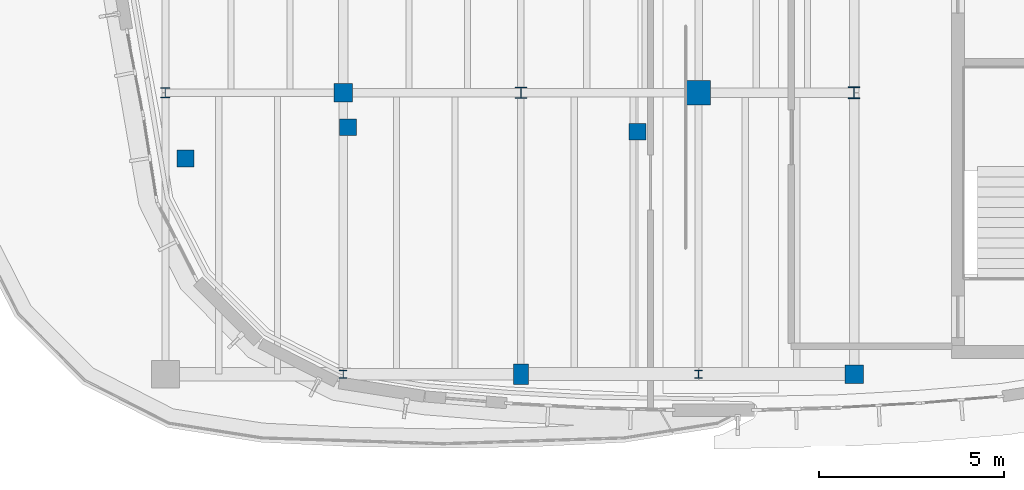
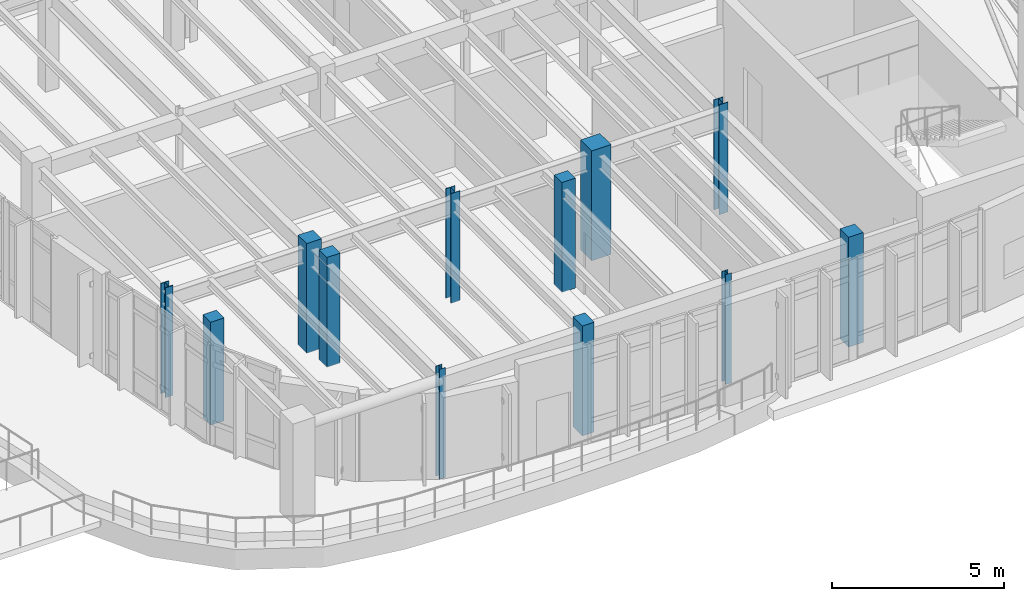
# One storey, part 4 of 105: 12 columns.
"""IFC4 building model written with IfcOpenShell, lengths in metres."""

import ifcopenshell
import ifcopenshell.guid

model = None  # the IFC model being written
_history = None  # IfcOwnerHistory: only IFC2X3 demands one
_inside = {}  # id of a spatial element -> (the spatial element, [elements in it])
_under = {}  # id of a project, library or spatial element -> (it, [spatial elements below it])
_declared = {}  # id of a project -> (the project, [libraries it declares])
_typed = {}  # id of a type object -> (the type object, [elements of that type])
_made_of = {}  # id of a material, layer set ... -> (it, [elements and type objects made of it])


def new_model(schema):
    """Start an empty IFC model of exactly this schema.

    Asked for "IFC4X3", IfcOpenShell would pick the latest addendum, in which some entities
    have other attributes; the version numbers below select the first issue.
    IFC2X3 requires an IfcOwnerHistory on every rooted entity: one is made here for all.
    """
    global model, _history
    if schema == "IFC4X3":
        model = ifcopenshell.file(schema_version=(4, 3, 0, 0))
    else:
        model = ifcopenshell.file(schema=schema)
    _inside.clear()
    _under.clear()
    _declared.clear()
    _typed.clear()
    _made_of.clear()
    _history = None
    if model.schema == "IFC2X3":
        org = make("IfcOrganization", Name="unknown")
        user = make(
            "IfcPersonAndOrganization",
            ThePerson=make("IfcPerson", FamilyName="unknown"),
            TheOrganization=org,
        )
        app = make(
            "IfcApplication",
            ApplicationDeveloper=org,
            Version="unknown",
            ApplicationFullName="unknown",
            ApplicationIdentifier="unknown",
        )
        _history = make(
            "IfcOwnerHistory",
            OwningUser=user,
            OwningApplication=app,
            ChangeAction="ADDED",
            CreationDate=0,
        )
    return model


def make(cls, **values):
    """One entity of the class cls with the attributes given. An attribute that is None is left unset."""
    return model.create_entity(
        cls, **{name: value for name, value in values.items() if value is not None}
    )


def rooted(cls, **values):
    """An entity with a GlobalId (a new one), such as an element, a storey or a relation."""
    return make(cls, GlobalId=ifcopenshell.guid.new(), OwnerHistory=_history, **values)


def si_unit(unit_type, name, prefix=None):
    """IfcSIUnit, for example si_unit("LENGTHUNIT", "METRE", prefix="MILLI")."""
    return make("IfcSIUnit", UnitType=unit_type, Prefix=prefix, Name=name)


def assignment(units):
    """IfcUnitAssignment: the units of a project."""
    return None if units is None else make("IfcUnitAssignment", Units=units)


def point(xyz):
    """IfcCartesianPoint."""
    return None if xyz is None else make("IfcCartesianPoint", Coordinates=xyz)


def direction(xyz):
    """IfcDirection."""
    return None if xyz is None else make("IfcDirection", DirectionRatios=xyz)


def frame(location, z_axis=None, x_axis=None):
    """IfcAxis2Placement3D, a coordinate frame: its origin and axes. An axis left out is left unset."""
    return make(
        "IfcAxis2Placement3D",
        Location=point(location),
        Axis=direction(z_axis),
        RefDirection=direction(x_axis),
    )


def frame_2d(location, x_axis=None):
    """IfcAxis2Placement2D, a coordinate frame in the plane: its origin and x axis."""
    return make(
        "IfcAxis2Placement2D", Location=point(location), RefDirection=direction(x_axis)
    )


def origin():
    """The frame at (0, 0, 0) with its axes left unset."""
    return frame((0.0, 0.0, 0.0))


def origin_2d():
    """The frame at (0, 0) in the plane with its x axis left unset."""
    return frame_2d((0.0, 0.0))


def place(relative_to, where):
    """IfcLocalPlacement: puts the frame where relative to a parent placement (None: the world)."""
    return make(
        "IfcLocalPlacement", PlacementRelTo=relative_to, RelativePlacement=where
    )


def context(
    kind, dimensions, precision=None, world=None, true_north=None, identifier=None
):
    """IfcGeometricRepresentationContext, for example the 3D "Model" context."""
    return make(
        "IfcGeometricRepresentationContext",
        ContextIdentifier=identifier,
        ContextType=kind,
        CoordinateSpaceDimension=dimensions,
        Precision=precision,
        WorldCoordinateSystem=world,
        TrueNorth=true_north,
    )


def subcontext(parent, identifier, kind, view, scale=None):
    """IfcGeometricRepresentationSubContext, for example "Body" below "Model"."""
    return make(
        "IfcGeometricRepresentationSubContext",
        ContextIdentifier=identifier,
        ContextType=kind,
        ParentContext=parent,
        TargetScale=scale,
        TargetView=view,
    )


def project(units=None, contexts=None):
    """IfcProject with its units and contexts."""
    return rooted(
        "IfcProject",
        Name="project",
        RepresentationContexts=contexts,
        UnitsInContext=assignment(units),
    )


def spatial(cls, under=None, at=None, **own):
    """A site, building, storey or space (cls), placed at a placement, below another one or the project."""
    s = rooted(cls, ObjectPlacement=at, **own)
    if under is not None:
        _under.setdefault(under.id(), (under, []))[1].append(s)
    return s


def profile(cls, at=None, kind="AREA", **sizes):
    """A parametric profile (cls). Its sizes go by their IFC names, for example OverallWidth=200.0."""
    return make(cls, ProfileType=kind, Position=at, **sizes)


def rectangle(**sizes):
    """IfcRectangleProfileDef."""
    return profile("IfcRectangleProfileDef", **sizes)


def i_section(**sizes):
    """IfcIShapeProfileDef."""
    return profile("IfcIShapeProfileDef", **sizes)


def extrude(swept, where, along, depth):
    """IfcExtrudedAreaSolid: the profile swept, set in the frame where, extruded along a direction by depth."""
    return make(
        "IfcExtrudedAreaSolid",
        SweptArea=swept,
        Position=where,
        ExtrudedDirection=direction(along),
        Depth=depth,
    )


def shape(context_of_items, identifier, shape_type, items):
    """IfcShapeRepresentation: the items that make up one representation, for example the "Body"."""
    return make(
        "IfcShapeRepresentation",
        ContextOfItems=context_of_items,
        RepresentationIdentifier=identifier,
        RepresentationType=shape_type,
        Items=items,
    )


def material(Name=None, Category=None):
    """IfcMaterial."""
    return make("IfcMaterial", Name=Name, Category=Category)


def material_profile(
    of_material, cross_section, Name=None, Category=None, Priority=None
):
    """IfcMaterialProfile: a cross section and its material."""
    return make(
        "IfcMaterialProfile",
        Name=Name,
        Material=of_material,
        Profile=cross_section,
        Priority=Priority,
        Category=Category,
    )


def profile_set(profiles, Name=None, composite=None):
    """IfcMaterialProfileSet."""
    return make(
        "IfcMaterialProfileSet",
        Name=Name,
        MaterialProfiles=profiles,
        CompositeProfile=composite,
    )


def made_of(thing, what):
    """Note that an element or type object is made of a material, layer set ...; save() writes the relation."""
    if what is not None:
        _made_of.setdefault(what.id(), (what, []))[1].append(thing)
    return thing


def type_object(cls, material=None, **own):
    """A type object (cls), such as IfcWallType, which elements share."""
    return made_of(rooted(cls, **own), material)


def element(
    cls,
    number,
    at=None,
    inside=None,
    cuts=None,
    type_object=None,
    material=None,
    context=None,
    identifier="Body",
    shape_type=None,
    held_by="IfcProductDefinitionShape",
    body=None,
    shapes=None,
    **own,
):
    """One element of the class cls, such as IfcWall. Its Tag is "e" and its number.

    at: its placement. inside: the storey or other place that contains it. cuts: it is an
    opening in that element (IfcRelVoidsElement). A single representation is given by context,
    identifier, shape_type and body (its items); several are given by shapes. held_by: the class
    of the entity that holds the representations. save() writes the other relations.
    """
    e = rooted(cls, Tag="e%d" % number, ObjectPlacement=at, **own)
    if body is not None:
        shapes = [shape(context, identifier, shape_type, body)]
    if shapes is not None:
        e.Representation = make(held_by, Representations=shapes)
    if inside is not None:
        _inside.setdefault(inside.id(), (inside, []))[1].append(e)
    if cuts is not None:
        rooted(
            "IfcRelVoidsElement", RelatingBuildingElement=cuts, RelatedOpeningElement=e
        )
    if type_object is not None:
        _typed.setdefault(type_object.id(), (type_object, []))[1].append(e)
    return made_of(e, material)


def aggregate(whole, parts):
    """IfcRelAggregates: a whole, such as a stair, and the parts it consists of."""
    return rooted("IfcRelAggregates", RelatingObject=whole, RelatedObjects=parts)


def save(model, path):
    """Write the relations noted so far, then the file.

    IfcRelAggregates (storeys below a building ...), IfcRelContainedInSpatialStructure (elements
    in a storey), IfcRelDefinesByType, IfcRelAssociatesMaterial and IfcRelDeclares: one each for
    every whole, place, type object, material and project.
    """
    for whole, parts in _under.values():
        aggregate(whole, parts)
    for where, things in _inside.values():
        rooted(
            "IfcRelContainedInSpatialStructure",
            RelatedElements=things,
            RelatingStructure=where,
        )
    for kind, things in _typed.values():
        rooted("IfcRelDefinesByType", RelatedObjects=things, RelatingType=kind)
    for what, things in _made_of.values():
        rooted("IfcRelAssociatesMaterial", RelatedObjects=things, RelatingMaterial=what)
    for by, libraries in _declared.values():
        rooted("IfcRelDeclares", RelatingContext=by, RelatedDefinitions=libraries)
    model.write(path)


model = new_model("IFC4")

# Units and contexts
model_context = context("Model", 3, precision=1e-05, world=origin(), true_north=direction((0.0, 1.0)))
body_context = subcontext(model_context, "Body", "Model", "MODEL_VIEW")
ifc_project = project(units=[si_unit("LENGTHUNIT", "METRE"), si_unit("AREAUNIT", "SQUARE_METRE"), si_unit("VOLUMEUNIT", "CUBIC_METRE"), si_unit("PLANEANGLEUNIT", "RADIAN"), si_unit("MASSUNIT", "GRAM", prefix="KILO")], contexts=[model_context])

# Site, building, storey
site_placement = place(None, origin())
site = spatial("IfcSite", under=ifc_project, at=site_placement, CompositionType="ELEMENT")
building_placement = place(site_placement, origin())
building = spatial("IfcBuilding", under=site, at=building_placement, Name="Corveleigh Park Community Centre", CompositionType="ELEMENT")
storey_placement = place(building_placement, frame((0.0, 0.0, 8.699951171875)))
storey = spatial("IfcBuildingStorey", under=building, at=storey_placement, Name="L02", CompositionType="ELEMENT", Elevation=8.699951171875)

# Columns
ifc_material_1 = material(Name="Concrete C40/50", Category="concrete")
ifc_material_profile_1 = material_profile(ifc_material_1, rectangle(XDim=0.39990234375, YDim=0.550048828125, at=origin_2d()), Name="RC-400x550", Category="concrete")
ifc_profile_set_1 = profile_set([ifc_material_profile_1], Name="Concrete C40/50")
column_type_1 = type_object("IfcColumnType", Name="COL-RC-400x550", PredefinedType="COLUMN", material=ifc_profile_set_1)
column_1_placement = place(storey_placement, frame((149.0, 58.60009765625, 0.0), z_axis=(0.0, 0.0, 1.0), x_axis=(1.0, 0.0, 0.0)))
element("IfcColumn", 1, at=column_1_placement, inside=storey, type_object=column_type_1, Name="Column V4-X4Y0 L02", PredefinedType="COLUMN", context=body_context, shape_type="SweptSolid", body=[
    extrude(rectangle(XDim=0.39990234375, YDim=0.550048828125, at=origin_2d()), origin(), (0.0, 0.0, 1.0), 3.900146484375),
])
ifc_material_profile_2 = material_profile(ifc_material_1, rectangle(XDim=0.449951171875, YDim=0.449951171875, at=origin_2d()), Name="RC-450x450", Category="concrete")
ifc_profile_set_2 = profile_set([ifc_material_profile_2], Name="Concrete C40/50")
column_type_2 = type_object("IfcColumnType", Name="COL-RC-450x450", PredefinedType="COLUMN", material=ifc_profile_set_2)
column_2_placement = place(storey_placement, frame((139.94091796875, 64.424072265625, 0.0), z_axis=(0.0, 0.0, 1.0), x_axis=(1.0, 0.0, 0.0)))
element("IfcColumn", 2, at=column_2_placement, inside=storey, type_object=column_type_2, Name="External deck support pier 135 L02", PredefinedType="COLUMN", context=body_context, shape_type="SweptSolid", body=[
    extrude(rectangle(XDim=0.449951171875, YDim=0.449951171875, at=origin_2d()), origin(), (0.0, 0.0, 1.0), 3.653076171875),
])
for number, where, z_axis, x_axis, name in (
    (3, (144.3291015625, 65.27294921875, 0.0), (0.0, 0.0, 1.0), (1.0, 0.0, 0.0), "External deck support pier 137 L02"),
    (4, (152.14697265625, 65.14404296875, 0.0), (0.0, 0.0, 1.0), (1.0, 0.0, 0.0), "External deck support pier 139 L02"),
):
    element("IfcColumn", number, at=place(storey_placement, frame(where, z_axis=z_axis, x_axis=x_axis)), inside=storey, type_object=column_type_2, Name=name, PredefinedType="COLUMN", context=body_context, shape_type="SweptSolid", body=[
        extrude(rectangle(XDim=0.449951171875, YDim=0.449951171875, at=origin_2d()), origin(), (0.0, 0.0, 1.0), 3.900146484375),
    ])
ifc_material_profile_3 = material_profile(ifc_material_1, rectangle(XDim=0.5, YDim=0.5, at=origin_2d()), Name="RC-500x500", Category="concrete")
ifc_profile_set_3 = profile_set([ifc_material_profile_3], Name="Concrete C40/50")
column_type_3 = type_object("IfcColumnType", Name="COL-RC-500x500", PredefinedType="COLUMN", material=ifc_profile_set_3)
for number, where, z_axis, x_axis, name in (
    (5, (144.199951171875, 66.199951171875, 0.0), (0.0, 0.0, 1.0), (1.0, 0.0, 0.0), "Column V4-X3Y1 L02"),
    (6, (158.0, 58.60009765625, 0.0), (0.0, 0.0, 1.0), (1.0, 0.0, 0.0), "Column V4-X6Y0 L02"),
):
    element("IfcColumn", number, at=place(storey_placement, frame(where, z_axis=z_axis, x_axis=x_axis)), inside=storey, type_object=column_type_3, Name=name, PredefinedType="COLUMN", context=body_context, shape_type="SweptSolid", body=[
        extrude(rectangle(XDim=0.5, YDim=0.5, at=origin_2d()), origin(), (0.0, 0.0, 1.0), 3.900146484375),
    ])
ifc_material_profile_4 = material_profile(ifc_material_1, rectangle(XDim=0.64990234375, YDim=0.64990234375, at=origin_2d()), Name="RC-650x650", Category="concrete")
ifc_profile_set_4 = profile_set([ifc_material_profile_4], Name="Concrete C40/50")
column_type_4 = type_object("IfcColumnType", Name="COL-RC-650x650", PredefinedType="COLUMN", material=ifc_profile_set_4)
column_3_placement = place(storey_placement, frame((153.800048828125, 66.199951171875, 0.0), z_axis=(0.0, 0.0, 1.0), x_axis=(1.0, 0.0, 0.0)))
element("IfcColumn", 7, at=column_3_placement, inside=storey, type_object=column_type_4, Name="Column V4-X5Y1 L02", PredefinedType="COLUMN", context=body_context, shape_type="SweptSolid", body=[
    extrude(rectangle(XDim=0.64990234375, YDim=0.64990234375, at=origin_2d()), origin(), (0.0, 0.0, 1.0), 3.900146484375),
])
ifc_material_2 = material(Name="Steel S355", Category="steel")
ifc_material_profile_5 = material_profile(ifc_material_2, i_section(OverallWidth=0.204345703125, OverallDepth=0.206298828125, WebThickness=0.0078125, FlangeThickness=0.012451171875, at=origin_2d()), Name="UKC 203x203x52", Category="steel")
ifc_profile_set_5 = profile_set([ifc_material_profile_5], Name="Steel S355")
column_type_5 = type_object("IfcColumnType", Name="COL-STL-UKC203x52", PredefinedType="COLUMN", material=ifc_profile_set_5)
column_4_placement = place(storey_placement, frame((144.199951171875, 58.60009765625, 0.0), z_axis=(0.0, 0.0, 1.0), x_axis=(1.0, 0.0, 0.0)))
element("IfcColumn", 8, at=column_4_placement, inside=storey, type_object=column_type_5, Name="Column V4-X3Y0 L02", PredefinedType="COLUMN", context=body_context, shape_type="SweptSolid", body=[
    extrude(i_section(OverallWidth=0.204345703125, OverallDepth=0.206298828125, WebThickness=0.0078125, FlangeThickness=0.012451171875, at=origin_2d()), origin(), (0.0, 0.0, 1.0), 3.900146484375),
])
ifc_material_profile_6 = material_profile(ifc_material_2, i_section(OverallWidth=0.205810546875, OverallDepth=0.209716796875, WebThickness=0.009521484375, FlangeThickness=0.01416015625, at=origin_2d()), Name="UKC 203x203x60", Category="steel")
ifc_profile_set_6 = profile_set([ifc_material_profile_6], Name="Steel S355")
column_type_6 = type_object("IfcColumnType", Name="COL-STL-UKC203x60", PredefinedType="COLUMN", material=ifc_profile_set_6)
column_5_placement = place(storey_placement, frame((153.800048828125, 58.60009765625, 0.0), z_axis=(0.0, 0.0, 1.0), x_axis=(1.0, 0.0, 0.0)))
element("IfcColumn", 9, at=column_5_placement, inside=storey, type_object=column_type_6, Name="Column V4-X5Y0 L02", PredefinedType="COLUMN", context=body_context, shape_type="SweptSolid", body=[
    extrude(i_section(OverallWidth=0.205810546875, OverallDepth=0.209716796875, WebThickness=0.009521484375, FlangeThickness=0.01416015625, at=origin_2d()), origin(), (0.0, 0.0, 1.0), 3.900146484375),
])
ifc_material_profile_7 = material_profile(ifc_material_2, i_section(OverallWidth=0.26123046875, OverallDepth=0.2763671875, WebThickness=0.015380859375, FlangeThickness=0.025390625, at=origin_2d()), Name="UKC 254x254x132", Category="steel")
ifc_profile_set_7 = profile_set([ifc_material_profile_7], Name="Steel S355")
column_type_7 = type_object("IfcColumnType", Name="COL-STL-UKC254x132", PredefinedType="COLUMN", material=ifc_profile_set_7)
column_6_placement = place(storey_placement, frame((139.39990234375, 66.199951171875, 0.0), z_axis=(0.0, 0.0, 1.0), x_axis=(1.0, 0.0, 0.0)))
element("IfcColumn", 10, at=column_6_placement, inside=storey, type_object=column_type_7, Name="Column V4-X2Y1 L02", PredefinedType="COLUMN", context=body_context, shape_type="SweptSolid", body=[
    extrude(i_section(OverallWidth=0.26123046875, OverallDepth=0.2763671875, WebThickness=0.015380859375, FlangeThickness=0.025390625, at=origin_2d()), origin(), (0.0, 0.0, 1.0), 3.900146484375),
])
ifc_material_profile_8 = material_profile(ifc_material_2, i_section(OverallWidth=0.307373046875, OverallDepth=0.314453125, WebThickness=0.011962890625, FlangeThickness=0.018798828125, at=origin_2d()), Name="UKC 305x305x118", Category="steel")
ifc_profile_set_8 = profile_set([ifc_material_profile_8], Name="Steel S355")
column_type_8 = type_object("IfcColumnType", Name="COL-STL-UKC305x118", PredefinedType="COLUMN", material=ifc_profile_set_8)
column_7_placement = place(storey_placement, frame((158.0, 66.199951171875, 0.0), z_axis=(0.0, 0.0, 1.0), x_axis=(1.0, 0.0, 0.0)))
element("IfcColumn", 11, at=column_7_placement, inside=storey, type_object=column_type_8, Name="Column V4-X6Y1 L02", PredefinedType="COLUMN", context=body_context, shape_type="SweptSolid", body=[
    extrude(i_section(OverallWidth=0.307373046875, OverallDepth=0.314453125, WebThickness=0.011962890625, FlangeThickness=0.018798828125, at=origin_2d()), origin(), (0.0, 0.0, 1.0), 3.900146484375),
])
ifc_material_profile_9 = material_profile(ifc_material_2, i_section(OverallWidth=0.305419921875, OverallDepth=0.307861328125, WebThickness=0.010009765625, FlangeThickness=0.015380859375, at=origin_2d()), Name="UKC 305x305x97", Category="steel")
ifc_profile_set_9 = profile_set([ifc_material_profile_9], Name="Steel S355")
column_type_9 = type_object("IfcColumnType", Name="COL-STL-UKC305x97", PredefinedType="COLUMN", material=ifc_profile_set_9)
column_8_placement = place(storey_placement, frame((149.0, 66.199951171875, 0.0), z_axis=(0.0, 0.0, 1.0), x_axis=(1.0, 0.0, 0.0)))
element("IfcColumn", 12, at=column_8_placement, inside=storey, type_object=column_type_9, Name="Column V4-X4Y1 L02", PredefinedType="COLUMN", context=body_context, shape_type="SweptSolid", body=[
    extrude(i_section(OverallWidth=0.305419921875, OverallDepth=0.307861328125, WebThickness=0.010009765625, FlangeThickness=0.015380859375, at=origin_2d()), origin(), (0.0, 0.0, 1.0), 3.900146484375),
])

save(model, "model.ifc")
